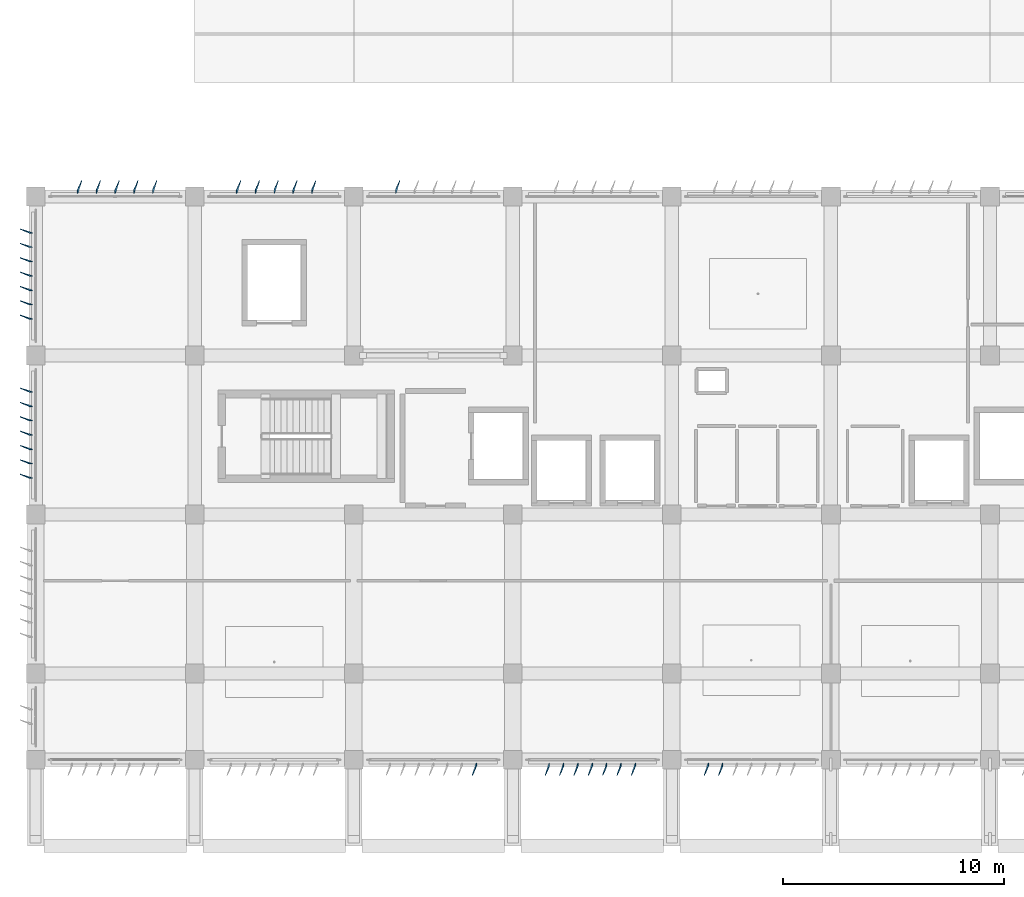
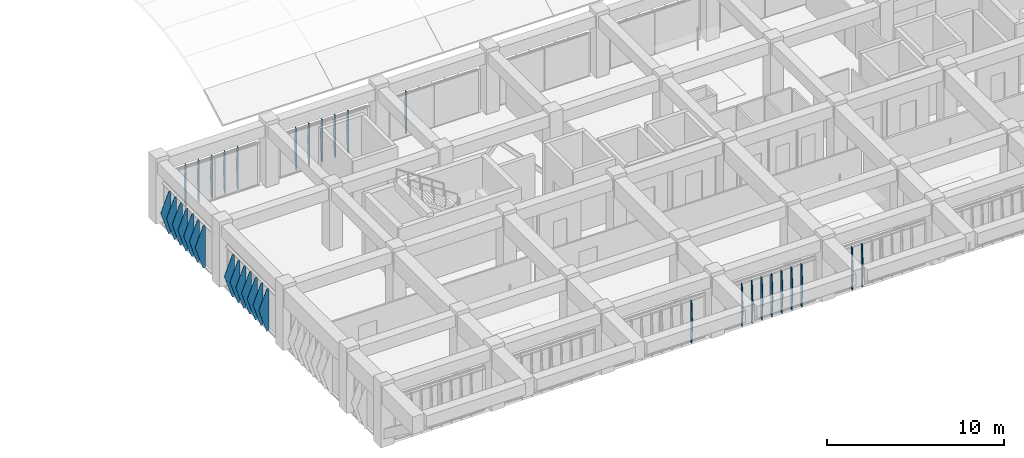
# One storey, part 50 of 56: 35 plates.
"""IFC4 building model written with IfcOpenShell, lengths in metres."""

from ifc_helpers import new_model, si_unit, direction, frame, origin, place, context, subcontext, project, spatial, polygons, material, layer, layer_set, type_object, element, save


model = new_model("IFC4")

# Units and contexts
model_context = context("Model", 3, precision=1e-05, world=origin(), true_north=direction((0.0, 1.0)))
body_context = subcontext(model_context, "Body", "Model", "MODEL_VIEW")
ifc_project = project(units=[si_unit("LENGTHUNIT", "METRE"), si_unit("AREAUNIT", "SQUARE_METRE"), si_unit("VOLUMEUNIT", "CUBIC_METRE"), si_unit("PLANEANGLEUNIT", "RADIAN"), si_unit("MASSUNIT", "GRAM", prefix="KILO")], contexts=[model_context])

# Site, building, storey
site_placement = place(None, origin())
site = spatial("IfcSite", under=ifc_project, at=site_placement, CompositionType="ELEMENT")
building_placement = place(site_placement, origin())
building = spatial("IfcBuilding", under=site, at=building_placement, Name="Kazehaya Institute of Natural Sciences", CompositionType="ELEMENT")
storey_placement = place(building_placement, frame((0.0, 0.0, 24.300048828125)))
storey = spatial("IfcBuildingStorey", under=building, at=storey_placement, Name="L05", CompositionType="ELEMENT", Elevation=24.300048828125)

# Plates
ifc_material = material(Name="Bronze-anodised aluminium alloy A6063S-T5", Category="aluminium")
ifc_layer_1 = layer(ifc_material, 0.02001953125, Name="Bronze-anodised aluminium alloy A6063S-T5", Category="aluminium")
ifc_layer_set_1 = layer_set([ifc_layer_1], Name="Bronze-anodised aluminium alloy A6063S-T5")
plate_type_1 = type_object("IfcPlateType", Name="FIN-DF-E1", PredefinedType="USERDEFINED", material=ifc_layer_set_1)
plate_1_placement = place(storey_placement, origin())
element("IfcPlate", 1, at=plate_1_placement, inside=storey, type_object=plate_type_1, Name="L05 folded diamond-pyramid shading fin FIN-L05-W-0358", ObjectType="SHADING_FIN", PredefinedType="USERDEFINED", context=body_context, shape_type="Tessellation", body=[
    polygons([(54.445068359375, 22.840087890625, 0.0400390625), (54.300048828125, 22.840087890625, 0.0400390625), (53.889892578125, 23.018798828125, 1.5), (54.300048828125, 22.840087890625, 2.9599609375), (54.445068359375, 22.840087890625, 2.9599609375), (54.445068359375, 22.860107421875, 0.0400390625), (54.300048828125, 22.860107421875, 0.0400390625), (53.889892578125, 23.038818359375, 1.5), (54.300048828125, 22.860107421875, 2.9599609375), (54.445068359375, 22.860107421875, 2.9599609375)], [[[1, 5, 4, 3, 2]], [[6, 7, 8, 9, 10]], [[1, 2, 7, 6]], [[2, 3, 8, 7]], [[3, 4, 9, 8]], [[4, 5, 10, 9]], [[5, 1, 6, 10]]], closed=True),
])
plate_2_placement = place(storey_placement, origin())
element("IfcPlate", 2, at=plate_2_placement, inside=storey, type_object=plate_type_1, Name="L05 folded diamond-pyramid shading fin FIN-L05-W-0359", ObjectType="SHADING_FIN", PredefinedType="USERDEFINED", context=body_context, shape_type="Tessellation", body=[
    polygons([(54.445068359375, 23.489990234375, 0.0400390625), (54.300048828125, 23.489990234375, 0.0400390625), (53.889892578125, 23.668701171875, 1.5), (54.300048828125, 23.489990234375, 2.9599609375), (54.445068359375, 23.489990234375, 2.9599609375), (54.445068359375, 23.510009765625, 0.0400390625), (54.300048828125, 23.510009765625, 0.0400390625), (53.889892578125, 23.688720703125, 1.5), (54.300048828125, 23.510009765625, 2.9599609375), (54.445068359375, 23.510009765625, 2.9599609375)], [[[1, 5, 4, 3, 2]], [[6, 7, 8, 9, 10]], [[1, 2, 7, 6]], [[2, 3, 8, 7]], [[3, 4, 9, 8]], [[4, 5, 10, 9]], [[5, 1, 6, 10]]], closed=True),
])
plate_3_placement = place(storey_placement, origin())
element("IfcPlate", 3, at=plate_3_placement, inside=storey, type_object=plate_type_1, Name="L05 folded diamond-pyramid shading fin FIN-L05-W-0360", ObjectType="SHADING_FIN", PredefinedType="USERDEFINED", context=body_context, shape_type="Tessellation", body=[
    polygons([(54.445068359375, 24.139892578125, 0.0400390625), (54.300048828125, 24.139892578125, 0.0400390625), (53.889892578125, 24.318603515625, 1.5), (54.300048828125, 24.139892578125, 2.9599609375), (54.445068359375, 24.139892578125, 2.9599609375), (54.445068359375, 24.159912109375, 0.0400390625), (54.300048828125, 24.159912109375, 0.0400390625), (53.889892578125, 24.338623046875, 1.5), (54.300048828125, 24.159912109375, 2.9599609375), (54.445068359375, 24.159912109375, 2.9599609375)], [[[1, 5, 4, 3, 2]], [[6, 7, 8, 9, 10]], [[1, 2, 7, 6]], [[2, 3, 8, 7]], [[3, 4, 9, 8]], [[4, 5, 10, 9]], [[5, 1, 6, 10]]], closed=True),
])
plate_4_placement = place(storey_placement, origin())
element("IfcPlate", 4, at=plate_4_placement, inside=storey, type_object=plate_type_1, Name="L05 folded diamond-pyramid shading fin FIN-L05-W-0361", ObjectType="SHADING_FIN", PredefinedType="USERDEFINED", context=body_context, shape_type="Tessellation", body=[
    polygons([(54.445068359375, 24.7900390625, 0.0400390625), (54.300048828125, 24.7900390625, 0.0400390625), (53.889892578125, 24.96875, 1.5), (54.300048828125, 24.7900390625, 2.9599609375), (54.445068359375, 24.7900390625, 2.9599609375), (54.445068359375, 24.81005859375, 0.0400390625), (54.300048828125, 24.81005859375, 0.0400390625), (53.889892578125, 24.98876953125, 1.5), (54.300048828125, 24.81005859375, 2.9599609375), (54.445068359375, 24.81005859375, 2.9599609375)], [[[1, 5, 4, 3, 2]], [[6, 7, 8, 9, 10]], [[1, 2, 7, 6]], [[2, 3, 8, 7]], [[3, 4, 9, 8]], [[4, 5, 10, 9]], [[5, 1, 6, 10]]], closed=True),
])
plate_5_placement = place(storey_placement, origin())
element("IfcPlate", 5, at=plate_5_placement, inside=storey, type_object=plate_type_1, Name="L05 folded diamond-pyramid shading fin FIN-L05-W-0362", ObjectType="SHADING_FIN", PredefinedType="USERDEFINED", context=body_context, shape_type="Tessellation", body=[
    polygons([(54.445068359375, 25.43994140625, 0.0400390625), (54.300048828125, 25.43994140625, 0.0400390625), (53.889892578125, 25.61865234375, 1.5), (54.300048828125, 25.43994140625, 2.9599609375), (54.445068359375, 25.43994140625, 2.9599609375), (54.445068359375, 25.4599609375, 0.0400390625), (54.300048828125, 25.4599609375, 0.0400390625), (53.889892578125, 25.638671875, 1.5), (54.300048828125, 25.4599609375, 2.9599609375), (54.445068359375, 25.4599609375, 2.9599609375)], [[[1, 5, 4, 3, 2]], [[6, 7, 8, 9, 10]], [[1, 2, 7, 6]], [[2, 3, 8, 7]], [[3, 4, 9, 8]], [[4, 5, 10, 9]], [[5, 1, 6, 10]]], closed=True),
])
plate_6_placement = place(storey_placement, origin())
element("IfcPlate", 6, at=plate_6_placement, inside=storey, type_object=plate_type_1, Name="L05 folded diamond-pyramid shading fin FIN-L05-W-0363", ObjectType="SHADING_FIN", PredefinedType="USERDEFINED", context=body_context, shape_type="Tessellation", body=[
    polygons([(54.445068359375, 26.090087890625, 0.0400390625), (54.300048828125, 26.090087890625, 0.0400390625), (53.889892578125, 26.268798828125, 1.5), (54.300048828125, 26.090087890625, 2.9599609375), (54.445068359375, 26.090087890625, 2.9599609375), (54.445068359375, 26.110107421875, 0.0400390625), (54.300048828125, 26.110107421875, 0.0400390625), (53.889892578125, 26.288818359375, 1.5), (54.300048828125, 26.110107421875, 2.9599609375), (54.445068359375, 26.110107421875, 2.9599609375)], [[[1, 5, 4, 3, 2]], [[6, 7, 8, 9, 10]], [[1, 2, 7, 6]], [[2, 3, 8, 7]], [[3, 4, 9, 8]], [[4, 5, 10, 9]], [[5, 1, 6, 10]]], closed=True),
])
plate_7_placement = place(storey_placement, origin())
element("IfcPlate", 7, at=plate_7_placement, inside=storey, type_object=plate_type_1, Name="L05 folded diamond-pyramid shading fin FIN-L05-W-0364", ObjectType="SHADING_FIN", PredefinedType="USERDEFINED", context=body_context, shape_type="Tessellation", body=[
    polygons([(54.445068359375, 26.739990234375, 0.0400390625), (54.300048828125, 26.739990234375, 0.0400390625), (53.889892578125, 26.918701171875, 1.5), (54.300048828125, 26.739990234375, 2.9599609375), (54.445068359375, 26.739990234375, 2.9599609375), (54.445068359375, 26.760009765625, 0.0400390625), (54.300048828125, 26.760009765625, 0.0400390625), (53.889892578125, 26.938720703125, 1.5), (54.300048828125, 26.760009765625, 2.9599609375), (54.445068359375, 26.760009765625, 2.9599609375)], [[[1, 5, 4, 3, 2]], [[6, 7, 8, 9, 10]], [[1, 2, 7, 6]], [[2, 3, 8, 7]], [[3, 4, 9, 8]], [[4, 5, 10, 9]], [[5, 1, 6, 10]]], closed=True),
])
plate_8_placement = place(storey_placement, origin())
element("IfcPlate", 8, at=plate_8_placement, inside=storey, type_object=plate_type_1, Name="L05 folded diamond-pyramid shading fin FIN-L05-W-0372", ObjectType="SHADING_FIN", PredefinedType="USERDEFINED", context=body_context, shape_type="Tessellation", body=[
    polygons([(54.445068359375, 30.0400390625, 0.0400390625), (54.300048828125, 30.0400390625, 0.0400390625), (53.889892578125, 30.21875, 1.5), (54.300048828125, 30.0400390625, 2.9599609375), (54.445068359375, 30.0400390625, 2.9599609375), (54.445068359375, 30.06005859375, 0.0400390625), (54.300048828125, 30.06005859375, 0.0400390625), (53.889892578125, 30.23876953125, 1.5), (54.300048828125, 30.06005859375, 2.9599609375), (54.445068359375, 30.06005859375, 2.9599609375)], [[[1, 5, 4, 3, 2]], [[6, 7, 8, 9, 10]], [[1, 2, 7, 6]], [[2, 3, 8, 7]], [[3, 4, 9, 8]], [[4, 5, 10, 9]], [[5, 1, 6, 10]]], closed=True),
])
plate_9_placement = place(storey_placement, origin())
element("IfcPlate", 9, at=plate_9_placement, inside=storey, type_object=plate_type_1, Name="L05 folded diamond-pyramid shading fin FIN-L05-W-0373", ObjectType="SHADING_FIN", PredefinedType="USERDEFINED", context=body_context, shape_type="Tessellation", body=[
    polygons([(54.445068359375, 30.68994140625, 0.0400390625), (54.300048828125, 30.68994140625, 0.0400390625), (53.889892578125, 30.86865234375, 1.5), (54.300048828125, 30.68994140625, 2.9599609375), (54.445068359375, 30.68994140625, 2.9599609375), (54.445068359375, 30.7099609375, 0.0400390625), (54.300048828125, 30.7099609375, 0.0400390625), (53.889892578125, 30.888671875, 1.5), (54.300048828125, 30.7099609375, 2.9599609375), (54.445068359375, 30.7099609375, 2.9599609375)], [[[1, 5, 4, 3, 2]], [[6, 7, 8, 9, 10]], [[1, 2, 7, 6]], [[2, 3, 8, 7]], [[3, 4, 9, 8]], [[4, 5, 10, 9]], [[5, 1, 6, 10]]], closed=True),
])
plate_10_placement = place(storey_placement, origin())
element("IfcPlate", 10, at=plate_10_placement, inside=storey, type_object=plate_type_1, Name="L05 folded diamond-pyramid shading fin FIN-L05-W-0374", ObjectType="SHADING_FIN", PredefinedType="USERDEFINED", context=body_context, shape_type="Tessellation", body=[
    polygons([(54.445068359375, 31.340087890625, 0.0400390625), (54.300048828125, 31.340087890625, 0.0400390625), (53.889892578125, 31.518798828125, 1.5), (54.300048828125, 31.340087890625, 2.9599609375), (54.445068359375, 31.340087890625, 2.9599609375), (54.445068359375, 31.360107421875, 0.0400390625), (54.300048828125, 31.360107421875, 0.0400390625), (53.889892578125, 31.538818359375, 1.5), (54.300048828125, 31.360107421875, 2.9599609375), (54.445068359375, 31.360107421875, 2.9599609375)], [[[1, 5, 4, 3, 2]], [[6, 7, 8, 9, 10]], [[1, 2, 7, 6]], [[2, 3, 8, 7]], [[3, 4, 9, 8]], [[4, 5, 10, 9]], [[5, 1, 6, 10]]], closed=True),
])
plate_11_placement = place(storey_placement, origin())
element("IfcPlate", 11, at=plate_11_placement, inside=storey, type_object=plate_type_1, Name="L05 folded diamond-pyramid shading fin FIN-L05-W-0375", ObjectType="SHADING_FIN", PredefinedType="USERDEFINED", context=body_context, shape_type="Tessellation", body=[
    polygons([(54.445068359375, 31.989990234375, 0.0400390625), (54.300048828125, 31.989990234375, 0.0400390625), (53.889892578125, 32.168701171875, 1.5), (54.300048828125, 31.989990234375, 2.9599609375), (54.445068359375, 31.989990234375, 2.9599609375), (54.445068359375, 32.010009765625, 0.0400390625), (54.300048828125, 32.010009765625, 0.0400390625), (53.889892578125, 32.188720703125, 1.5), (54.300048828125, 32.010009765625, 2.9599609375), (54.445068359375, 32.010009765625, 2.9599609375)], [[[1, 5, 4, 3, 2]], [[6, 7, 8, 9, 10]], [[1, 2, 7, 6]], [[2, 3, 8, 7]], [[3, 4, 9, 8]], [[4, 5, 10, 9]], [[5, 1, 6, 10]]], closed=True),
])
plate_12_placement = place(storey_placement, origin())
element("IfcPlate", 12, at=plate_12_placement, inside=storey, type_object=plate_type_1, Name="L05 folded diamond-pyramid shading fin FIN-L05-W-0376", ObjectType="SHADING_FIN", PredefinedType="USERDEFINED", context=body_context, shape_type="Tessellation", body=[
    polygons([(54.445068359375, 32.639892578125, 0.0400390625), (54.300048828125, 32.639892578125, 0.0400390625), (53.889892578125, 32.818603515625, 1.5), (54.300048828125, 32.639892578125, 2.9599609375), (54.445068359375, 32.639892578125, 2.9599609375), (54.445068359375, 32.659912109375, 0.0400390625), (54.300048828125, 32.659912109375, 0.0400390625), (53.889892578125, 32.838623046875, 1.5), (54.300048828125, 32.659912109375, 2.9599609375), (54.445068359375, 32.659912109375, 2.9599609375)], [[[1, 5, 4, 3, 2]], [[6, 7, 8, 9, 10]], [[1, 2, 7, 6]], [[2, 3, 8, 7]], [[3, 4, 9, 8]], [[4, 5, 10, 9]], [[5, 1, 6, 10]]], closed=True),
])
plate_13_placement = place(storey_placement, origin())
element("IfcPlate", 13, at=plate_13_placement, inside=storey, type_object=plate_type_1, Name="L05 folded diamond-pyramid shading fin FIN-L05-W-0377", ObjectType="SHADING_FIN", PredefinedType="USERDEFINED", context=body_context, shape_type="Tessellation", body=[
    polygons([(54.445068359375, 33.2900390625, 0.0400390625), (54.300048828125, 33.2900390625, 0.0400390625), (53.889892578125, 33.46875, 1.5), (54.300048828125, 33.2900390625, 2.9599609375), (54.445068359375, 33.2900390625, 2.9599609375), (54.445068359375, 33.31005859375, 0.0400390625), (54.300048828125, 33.31005859375, 0.0400390625), (53.889892578125, 33.48876953125, 1.5), (54.300048828125, 33.31005859375, 2.9599609375), (54.445068359375, 33.31005859375, 2.9599609375)], [[[1, 5, 4, 3, 2]], [[6, 7, 8, 9, 10]], [[1, 2, 7, 6]], [[2, 3, 8, 7]], [[3, 4, 9, 8]], [[4, 5, 10, 9]], [[5, 1, 6, 10]]], closed=True),
])
plate_14_placement = place(storey_placement, origin())
element("IfcPlate", 14, at=plate_14_placement, inside=storey, type_object=plate_type_1, Name="L05 folded diamond-pyramid shading fin FIN-L05-W-0378", ObjectType="SHADING_FIN", PredefinedType="USERDEFINED", context=body_context, shape_type="Tessellation", body=[
    polygons([(54.445068359375, 33.93994140625, 0.0400390625), (54.300048828125, 33.93994140625, 0.0400390625), (53.889892578125, 34.11865234375, 1.5), (54.300048828125, 33.93994140625, 2.9599609375), (54.445068359375, 33.93994140625, 2.9599609375), (54.445068359375, 33.9599609375, 0.0400390625), (54.300048828125, 33.9599609375, 0.0400390625), (53.889892578125, 34.138671875, 1.5), (54.300048828125, 33.9599609375, 2.9599609375), (54.445068359375, 33.9599609375, 2.9599609375)], [[[1, 5, 4, 3, 2]], [[6, 7, 8, 9, 10]], [[1, 2, 7, 6]], [[2, 3, 8, 7]], [[3, 4, 9, 8]], [[4, 5, 10, 9]], [[5, 1, 6, 10]]], closed=True),
])
ifc_layer_2 = layer(ifc_material, 0.02001953125, Name="Bronze-anodised aluminium alloy A6063S-T5", Category="aluminium")
ifc_layer_set_2 = layer_set([ifc_layer_2], Name="Bronze-anodised aluminium alloy A6063S-T5")
plate_type_2 = type_object("IfcPlateType", Name="FIN-DF-N1", PredefinedType="USERDEFINED", material=ifc_layer_set_2)
plate_15_placement = place(storey_placement, origin())
element("IfcPlate", 15, at=plate_15_placement, inside=storey, type_object=plate_type_2, Name="L05 folded diamond-pyramid shading fin FIN-L05-N-0295", ObjectType="SHADING_FIN", PredefinedType="USERDEFINED", context=body_context, shape_type="Tessellation", body=[
    polygons([(56.489990234375, 35.7548828125, 0.0400390625), (56.489990234375, 35.89990234375, 0.0400390625), (56.668701171875, 36.31005859375, 1.5), (56.489990234375, 35.89990234375, 2.9599609375), (56.489990234375, 35.7548828125, 2.9599609375), (56.510009765625, 35.7548828125, 0.0400390625), (56.510009765625, 35.89990234375, 0.0400390625), (56.688720703125, 36.31005859375, 1.5), (56.510009765625, 35.89990234375, 2.9599609375), (56.510009765625, 35.7548828125, 2.9599609375)], [[[1, 5, 4, 3, 2]], [[6, 7, 8, 9, 10]], [[1, 2, 7, 6]], [[2, 3, 8, 7]], [[3, 4, 9, 8]], [[4, 5, 10, 9]], [[5, 1, 6, 10]]], closed=True),
])
plate_16_placement = place(storey_placement, origin())
element("IfcPlate", 16, at=plate_16_placement, inside=storey, type_object=plate_type_2, Name="L05 folded diamond-pyramid shading fin FIN-L05-N-0296", ObjectType="SHADING_FIN", PredefinedType="USERDEFINED", context=body_context, shape_type="Tessellation", body=[
    polygons([(57.340087890625, 35.7548828125, 0.0400390625), (57.340087890625, 35.89990234375, 0.0400390625), (57.518798828125, 36.31005859375, 1.5), (57.340087890625, 35.89990234375, 2.9599609375), (57.340087890625, 35.7548828125, 2.9599609375), (57.360107421875, 35.7548828125, 0.0400390625), (57.360107421875, 35.89990234375, 0.0400390625), (57.538818359375, 36.31005859375, 1.5), (57.360107421875, 35.89990234375, 2.9599609375), (57.360107421875, 35.7548828125, 2.9599609375)], [[[1, 5, 4, 3, 2]], [[6, 7, 8, 9, 10]], [[1, 2, 7, 6]], [[2, 3, 8, 7]], [[3, 4, 9, 8]], [[4, 5, 10, 9]], [[5, 1, 6, 10]]], closed=True),
])
plate_17_placement = place(storey_placement, origin())
element("IfcPlate", 17, at=plate_17_placement, inside=storey, type_object=plate_type_2, Name="L05 folded diamond-pyramid shading fin FIN-L05-N-0297", ObjectType="SHADING_FIN", PredefinedType="USERDEFINED", context=body_context, shape_type="Tessellation", body=[
    polygons([(58.18994140625, 35.7548828125, 0.0400390625), (58.18994140625, 35.89990234375, 0.0400390625), (58.36865234375, 36.31005859375, 1.5), (58.18994140625, 35.89990234375, 2.9599609375), (58.18994140625, 35.7548828125, 2.9599609375), (58.2099609375, 35.7548828125, 0.0400390625), (58.2099609375, 35.89990234375, 0.0400390625), (58.388671875, 36.31005859375, 1.5), (58.2099609375, 35.89990234375, 2.9599609375), (58.2099609375, 35.7548828125, 2.9599609375)], [[[1, 5, 4, 3, 2]], [[6, 7, 8, 9, 10]], [[1, 2, 7, 6]], [[2, 3, 8, 7]], [[3, 4, 9, 8]], [[4, 5, 10, 9]], [[5, 1, 6, 10]]], closed=True),
])
plate_18_placement = place(storey_placement, origin())
element("IfcPlate", 18, at=plate_18_placement, inside=storey, type_object=plate_type_2, Name="L05 folded diamond-pyramid shading fin FIN-L05-N-0298", ObjectType="SHADING_FIN", PredefinedType="USERDEFINED", context=body_context, shape_type="Tessellation", body=[
    polygons([(59.0400390625, 35.7548828125, 0.0400390625), (59.0400390625, 35.89990234375, 0.0400390625), (59.21875, 36.31005859375, 1.5), (59.0400390625, 35.89990234375, 2.9599609375), (59.0400390625, 35.7548828125, 2.9599609375), (59.06005859375, 35.7548828125, 0.0400390625), (59.06005859375, 35.89990234375, 0.0400390625), (59.23876953125, 36.31005859375, 1.5), (59.06005859375, 35.89990234375, 2.9599609375), (59.06005859375, 35.7548828125, 2.9599609375)], [[[1, 5, 4, 3, 2]], [[6, 7, 8, 9, 10]], [[1, 2, 7, 6]], [[2, 3, 8, 7]], [[3, 4, 9, 8]], [[4, 5, 10, 9]], [[5, 1, 6, 10]]], closed=True),
])
plate_19_placement = place(storey_placement, origin())
element("IfcPlate", 19, at=plate_19_placement, inside=storey, type_object=plate_type_2, Name="L05 folded diamond-pyramid shading fin FIN-L05-N-0299", ObjectType="SHADING_FIN", PredefinedType="USERDEFINED", context=body_context, shape_type="Tessellation", body=[
    polygons([(59.889892578125, 35.7548828125, 0.0400390625), (59.889892578125, 35.89990234375, 0.0400390625), (60.068603515625, 36.31005859375, 1.5), (59.889892578125, 35.89990234375, 2.9599609375), (59.889892578125, 35.7548828125, 2.9599609375), (59.909912109375, 35.7548828125, 0.0400390625), (59.909912109375, 35.89990234375, 0.0400390625), (60.088623046875, 36.31005859375, 1.5), (59.909912109375, 35.89990234375, 2.9599609375), (59.909912109375, 35.7548828125, 2.9599609375)], [[[1, 5, 4, 3, 2]], [[6, 7, 8, 9, 10]], [[1, 2, 7, 6]], [[2, 3, 8, 7]], [[3, 4, 9, 8]], [[4, 5, 10, 9]], [[5, 1, 6, 10]]], closed=True),
])
plate_20_placement = place(storey_placement, origin())
element("IfcPlate", 20, at=plate_20_placement, inside=storey, type_object=plate_type_2, Name="L05 folded diamond-pyramid shading fin FIN-L05-N-0300", ObjectType="SHADING_FIN", PredefinedType="USERDEFINED", context=body_context, shape_type="Tessellation", body=[
    polygons([(63.68994140625, 35.7548828125, 0.0400390625), (63.68994140625, 35.89990234375, 0.0400390625), (63.86865234375, 36.31005859375, 1.5), (63.68994140625, 35.89990234375, 2.9599609375), (63.68994140625, 35.7548828125, 2.9599609375), (63.7099609375, 35.7548828125, 0.0400390625), (63.7099609375, 35.89990234375, 0.0400390625), (63.888671875, 36.31005859375, 1.5), (63.7099609375, 35.89990234375, 2.9599609375), (63.7099609375, 35.7548828125, 2.9599609375)], [[[1, 5, 4, 3, 2]], [[6, 7, 8, 9, 10]], [[1, 2, 7, 6]], [[2, 3, 8, 7]], [[3, 4, 9, 8]], [[4, 5, 10, 9]], [[5, 1, 6, 10]]], closed=True),
])
plate_21_placement = place(storey_placement, origin())
element("IfcPlate", 21, at=plate_21_placement, inside=storey, type_object=plate_type_2, Name="L05 folded diamond-pyramid shading fin FIN-L05-N-0301", ObjectType="SHADING_FIN", PredefinedType="USERDEFINED", context=body_context, shape_type="Tessellation", body=[
    polygons([(64.5400390625, 35.7548828125, 0.0400390625), (64.5400390625, 35.89990234375, 0.0400390625), (64.71875, 36.31005859375, 1.5), (64.5400390625, 35.89990234375, 2.9599609375), (64.5400390625, 35.7548828125, 2.9599609375), (64.56005859375, 35.7548828125, 0.0400390625), (64.56005859375, 35.89990234375, 0.0400390625), (64.73876953125, 36.31005859375, 1.5), (64.56005859375, 35.89990234375, 2.9599609375), (64.56005859375, 35.7548828125, 2.9599609375)], [[[1, 5, 4, 3, 2]], [[6, 7, 8, 9, 10]], [[1, 2, 7, 6]], [[2, 3, 8, 7]], [[3, 4, 9, 8]], [[4, 5, 10, 9]], [[5, 1, 6, 10]]], closed=True),
])
plate_22_placement = place(storey_placement, origin())
element("IfcPlate", 22, at=plate_22_placement, inside=storey, type_object=plate_type_2, Name="L05 folded diamond-pyramid shading fin FIN-L05-N-0302", ObjectType="SHADING_FIN", PredefinedType="USERDEFINED", context=body_context, shape_type="Tessellation", body=[
    polygons([(65.389892578125, 35.7548828125, 0.0400390625), (65.389892578125, 35.89990234375, 0.0400390625), (65.568603515625, 36.31005859375, 1.5), (65.389892578125, 35.89990234375, 2.9599609375), (65.389892578125, 35.7548828125, 2.9599609375), (65.409912109375, 35.7548828125, 0.0400390625), (65.409912109375, 35.89990234375, 0.0400390625), (65.588623046875, 36.31005859375, 1.5), (65.409912109375, 35.89990234375, 2.9599609375), (65.409912109375, 35.7548828125, 2.9599609375)], [[[1, 5, 4, 3, 2]], [[6, 7, 8, 9, 10]], [[1, 2, 7, 6]], [[2, 3, 8, 7]], [[3, 4, 9, 8]], [[4, 5, 10, 9]], [[5, 1, 6, 10]]], closed=True),
])
plate_23_placement = place(storey_placement, origin())
element("IfcPlate", 23, at=plate_23_placement, inside=storey, type_object=plate_type_2, Name="L05 folded diamond-pyramid shading fin FIN-L05-N-0303", ObjectType="SHADING_FIN", PredefinedType="USERDEFINED", context=body_context, shape_type="Tessellation", body=[
    polygons([(66.239990234375, 35.7548828125, 0.0400390625), (66.239990234375, 35.89990234375, 0.0400390625), (66.418701171875, 36.31005859375, 1.5), (66.239990234375, 35.89990234375, 2.9599609375), (66.239990234375, 35.7548828125, 2.9599609375), (66.260009765625, 35.7548828125, 0.0400390625), (66.260009765625, 35.89990234375, 0.0400390625), (66.438720703125, 36.31005859375, 1.5), (66.260009765625, 35.89990234375, 2.9599609375), (66.260009765625, 35.7548828125, 2.9599609375)], [[[1, 5, 4, 3, 2]], [[6, 7, 8, 9, 10]], [[1, 2, 7, 6]], [[2, 3, 8, 7]], [[3, 4, 9, 8]], [[4, 5, 10, 9]], [[5, 1, 6, 10]]], closed=True),
])
plate_24_placement = place(storey_placement, origin())
element("IfcPlate", 24, at=plate_24_placement, inside=storey, type_object=plate_type_2, Name="L05 folded diamond-pyramid shading fin FIN-L05-N-0304", ObjectType="SHADING_FIN", PredefinedType="USERDEFINED", context=body_context, shape_type="Tessellation", body=[
    polygons([(67.090087890625, 35.7548828125, 0.0400390625), (67.090087890625, 35.89990234375, 0.0400390625), (67.268798828125, 36.31005859375, 1.5), (67.090087890625, 35.89990234375, 2.9599609375), (67.090087890625, 35.7548828125, 2.9599609375), (67.110107421875, 35.7548828125, 0.0400390625), (67.110107421875, 35.89990234375, 0.0400390625), (67.288818359375, 36.31005859375, 1.5), (67.110107421875, 35.89990234375, 2.9599609375), (67.110107421875, 35.7548828125, 2.9599609375)], [[[1, 5, 4, 3, 2]], [[6, 7, 8, 9, 10]], [[1, 2, 7, 6]], [[2, 3, 8, 7]], [[3, 4, 9, 8]], [[4, 5, 10, 9]], [[5, 1, 6, 10]]], closed=True),
])
plate_25_placement = place(storey_placement, origin())
element("IfcPlate", 25, at=plate_25_placement, inside=storey, type_object=plate_type_2, Name="L05 folded diamond-pyramid shading fin FIN-L05-N-0305", ObjectType="SHADING_FIN", PredefinedType="USERDEFINED", context=body_context, shape_type="Tessellation", body=[
    polygons([(70.889892578125, 35.7548828125, 0.0400390625), (70.889892578125, 35.89990234375, 0.0400390625), (71.068603515625, 36.31005859375, 1.5), (70.889892578125, 35.89990234375, 2.9599609375), (70.889892578125, 35.7548828125, 2.9599609375), (70.909912109375, 35.7548828125, 0.0400390625), (70.909912109375, 35.89990234375, 0.0400390625), (71.088623046875, 36.31005859375, 1.5), (70.909912109375, 35.89990234375, 2.9599609375), (70.909912109375, 35.7548828125, 2.9599609375)], [[[1, 5, 4, 3, 2]], [[6, 7, 8, 9, 10]], [[1, 2, 7, 6]], [[2, 3, 8, 7]], [[3, 4, 9, 8]], [[4, 5, 10, 9]], [[5, 1, 6, 10]]], closed=True),
])
ifc_layer_3 = layer(ifc_material, 0.02001953125, Name="Bronze-anodised aluminium alloy A6063S-T5", Category="aluminium")
ifc_layer_set_3 = layer_set([ifc_layer_3], Name="Bronze-anodised aluminium alloy A6063S-T5")
plate_type_3 = type_object("IfcPlateType", Name="FIN-DF-S1", PredefinedType="USERDEFINED", material=ifc_layer_set_3)
plate_26_placement = place(storey_placement, origin())
element("IfcPlate", 26, at=plate_26_placement, inside=storey, type_object=plate_type_3, Name="L05 folded diamond-pyramid shading fin FIN-L05-S-0265", ObjectType="SHADING_FIN", PredefinedType="USERDEFINED", context=body_context, shape_type="Tessellation", body=[
    polygons([(85.7099609375, 9.945068359375, 0.0400390625), (85.7099609375, 9.800048828125, 0.0400390625), (85.53125, 9.389892578125, 1.5), (85.7099609375, 9.800048828125, 2.9599609375), (85.7099609375, 9.945068359375, 2.9599609375), (85.68994140625, 9.945068359375, 0.0400390625), (85.68994140625, 9.800048828125, 0.0400390625), (85.51123046875, 9.389892578125, 1.5), (85.68994140625, 9.800048828125, 2.9599609375), (85.68994140625, 9.945068359375, 2.9599609375)], [[[1, 5, 4, 3, 2]], [[6, 7, 8, 9, 10]], [[1, 2, 7, 6]], [[2, 3, 8, 7]], [[3, 4, 9, 8]], [[4, 5, 10, 9]], [[5, 1, 6, 10]]], closed=True),
])
plate_27_placement = place(storey_placement, origin())
element("IfcPlate", 27, at=plate_27_placement, inside=storey, type_object=plate_type_3, Name="L05 folded diamond-pyramid shading fin FIN-L05-S-0266", ObjectType="SHADING_FIN", PredefinedType="USERDEFINED", context=body_context, shape_type="Tessellation", body=[
    polygons([(85.06005859375, 9.945068359375, 0.0400390625), (85.06005859375, 9.800048828125, 0.0400390625), (84.88134765625, 9.389892578125, 1.5), (85.06005859375, 9.800048828125, 2.9599609375), (85.06005859375, 9.945068359375, 2.9599609375), (85.0400390625, 9.945068359375, 0.0400390625), (85.0400390625, 9.800048828125, 0.0400390625), (84.861328125, 9.389892578125, 1.5), (85.0400390625, 9.800048828125, 2.9599609375), (85.0400390625, 9.945068359375, 2.9599609375)], [[[1, 5, 4, 3, 2]], [[6, 7, 8, 9, 10]], [[1, 2, 7, 6]], [[2, 3, 8, 7]], [[3, 4, 9, 8]], [[4, 5, 10, 9]], [[5, 1, 6, 10]]], closed=True),
])
plate_28_placement = place(storey_placement, origin())
element("IfcPlate", 28, at=plate_28_placement, inside=storey, type_object=plate_type_3, Name="L05 folded diamond-pyramid shading fin FIN-L05-S-0267", ObjectType="SHADING_FIN", PredefinedType="USERDEFINED", context=body_context, shape_type="Tessellation", body=[
    polygons([(81.760009765625, 9.945068359375, 0.0400390625), (81.760009765625, 9.800048828125, 0.0400390625), (81.581298828125, 9.389892578125, 1.5), (81.760009765625, 9.800048828125, 2.9599609375), (81.760009765625, 9.945068359375, 2.9599609375), (81.739990234375, 9.945068359375, 0.0400390625), (81.739990234375, 9.800048828125, 0.0400390625), (81.561279296875, 9.389892578125, 1.5), (81.739990234375, 9.800048828125, 2.9599609375), (81.739990234375, 9.945068359375, 2.9599609375)], [[[1, 5, 4, 3, 2]], [[6, 7, 8, 9, 10]], [[1, 2, 7, 6]], [[2, 3, 8, 7]], [[3, 4, 9, 8]], [[4, 5, 10, 9]], [[5, 1, 6, 10]]], closed=True),
])
plate_29_placement = place(storey_placement, origin())
element("IfcPlate", 29, at=plate_29_placement, inside=storey, type_object=plate_type_3, Name="L05 folded diamond-pyramid shading fin FIN-L05-S-0268", ObjectType="SHADING_FIN", PredefinedType="USERDEFINED", context=body_context, shape_type="Tessellation", body=[
    polygons([(81.110107421875, 9.945068359375, 0.0400390625), (81.110107421875, 9.800048828125, 0.0400390625), (80.931396484375, 9.389892578125, 1.5), (81.110107421875, 9.800048828125, 2.9599609375), (81.110107421875, 9.945068359375, 2.9599609375), (81.090087890625, 9.945068359375, 0.0400390625), (81.090087890625, 9.800048828125, 0.0400390625), (80.911376953125, 9.389892578125, 1.5), (81.090087890625, 9.800048828125, 2.9599609375), (81.090087890625, 9.945068359375, 2.9599609375)], [[[1, 5, 4, 3, 2]], [[6, 7, 8, 9, 10]], [[1, 2, 7, 6]], [[2, 3, 8, 7]], [[3, 4, 9, 8]], [[4, 5, 10, 9]], [[5, 1, 6, 10]]], closed=True),
])
plate_30_placement = place(storey_placement, origin())
element("IfcPlate", 30, at=plate_30_placement, inside=storey, type_object=plate_type_3, Name="L05 folded diamond-pyramid shading fin FIN-L05-S-0269", ObjectType="SHADING_FIN", PredefinedType="USERDEFINED", context=body_context, shape_type="Tessellation", body=[
    polygons([(80.4599609375, 9.945068359375, 0.0400390625), (80.4599609375, 9.800048828125, 0.0400390625), (80.28125, 9.389892578125, 1.5), (80.4599609375, 9.800048828125, 2.9599609375), (80.4599609375, 9.945068359375, 2.9599609375), (80.43994140625, 9.945068359375, 0.0400390625), (80.43994140625, 9.800048828125, 0.0400390625), (80.26123046875, 9.389892578125, 1.5), (80.43994140625, 9.800048828125, 2.9599609375), (80.43994140625, 9.945068359375, 2.9599609375)], [[[1, 5, 4, 3, 2]], [[6, 7, 8, 9, 10]], [[1, 2, 7, 6]], [[2, 3, 8, 7]], [[3, 4, 9, 8]], [[4, 5, 10, 9]], [[5, 1, 6, 10]]], closed=True),
])
plate_31_placement = place(storey_placement, origin())
element("IfcPlate", 31, at=plate_31_placement, inside=storey, type_object=plate_type_3, Name="L05 folded diamond-pyramid shading fin FIN-L05-S-0270", ObjectType="SHADING_FIN", PredefinedType="USERDEFINED", context=body_context, shape_type="Tessellation", body=[
    polygons([(79.81005859375, 9.945068359375, 0.0400390625), (79.81005859375, 9.800048828125, 0.0400390625), (79.63134765625, 9.389892578125, 1.5), (79.81005859375, 9.800048828125, 2.9599609375), (79.81005859375, 9.945068359375, 2.9599609375), (79.7900390625, 9.945068359375, 0.0400390625), (79.7900390625, 9.800048828125, 0.0400390625), (79.611328125, 9.389892578125, 1.5), (79.7900390625, 9.800048828125, 2.9599609375), (79.7900390625, 9.945068359375, 2.9599609375)], [[[1, 5, 4, 3, 2]], [[6, 7, 8, 9, 10]], [[1, 2, 7, 6]], [[2, 3, 8, 7]], [[3, 4, 9, 8]], [[4, 5, 10, 9]], [[5, 1, 6, 10]]], closed=True),
])
plate_32_placement = place(storey_placement, origin())
element("IfcPlate", 32, at=plate_32_placement, inside=storey, type_object=plate_type_3, Name="L05 folded diamond-pyramid shading fin FIN-L05-S-0271", ObjectType="SHADING_FIN", PredefinedType="USERDEFINED", context=body_context, shape_type="Tessellation", body=[
    polygons([(79.159912109375, 9.945068359375, 0.0400390625), (79.159912109375, 9.800048828125, 0.0400390625), (78.981201171875, 9.389892578125, 1.5), (79.159912109375, 9.800048828125, 2.9599609375), (79.159912109375, 9.945068359375, 2.9599609375), (79.139892578125, 9.945068359375, 0.0400390625), (79.139892578125, 9.800048828125, 0.0400390625), (78.961181640625, 9.389892578125, 1.5), (79.139892578125, 9.800048828125, 2.9599609375), (79.139892578125, 9.945068359375, 2.9599609375)], [[[1, 5, 4, 3, 2]], [[6, 7, 8, 9, 10]], [[1, 2, 7, 6]], [[2, 3, 8, 7]], [[3, 4, 9, 8]], [[4, 5, 10, 9]], [[5, 1, 6, 10]]], closed=True),
])
plate_33_placement = place(storey_placement, origin())
element("IfcPlate", 33, at=plate_33_placement, inside=storey, type_object=plate_type_3, Name="L05 folded diamond-pyramid shading fin FIN-L05-S-0272", ObjectType="SHADING_FIN", PredefinedType="USERDEFINED", context=body_context, shape_type="Tessellation", body=[
    polygons([(78.510009765625, 9.945068359375, 0.0400390625), (78.510009765625, 9.800048828125, 0.0400390625), (78.331298828125, 9.389892578125, 1.5), (78.510009765625, 9.800048828125, 2.9599609375), (78.510009765625, 9.945068359375, 2.9599609375), (78.489990234375, 9.945068359375, 0.0400390625), (78.489990234375, 9.800048828125, 0.0400390625), (78.311279296875, 9.389892578125, 1.5), (78.489990234375, 9.800048828125, 2.9599609375), (78.489990234375, 9.945068359375, 2.9599609375)], [[[1, 5, 4, 3, 2]], [[6, 7, 8, 9, 10]], [[1, 2, 7, 6]], [[2, 3, 8, 7]], [[3, 4, 9, 8]], [[4, 5, 10, 9]], [[5, 1, 6, 10]]], closed=True),
])
plate_34_placement = place(storey_placement, origin())
element("IfcPlate", 34, at=plate_34_placement, inside=storey, type_object=plate_type_3, Name="L05 folded diamond-pyramid shading fin FIN-L05-S-0273", ObjectType="SHADING_FIN", PredefinedType="USERDEFINED", context=body_context, shape_type="Tessellation", body=[
    polygons([(77.860107421875, 9.945068359375, 0.0400390625), (77.860107421875, 9.800048828125, 0.0400390625), (77.681396484375, 9.389892578125, 1.5), (77.860107421875, 9.800048828125, 2.9599609375), (77.860107421875, 9.945068359375, 2.9599609375), (77.840087890625, 9.945068359375, 0.0400390625), (77.840087890625, 9.800048828125, 0.0400390625), (77.661376953125, 9.389892578125, 1.5), (77.840087890625, 9.800048828125, 2.9599609375), (77.840087890625, 9.945068359375, 2.9599609375)], [[[1, 5, 4, 3, 2]], [[6, 7, 8, 9, 10]], [[1, 2, 7, 6]], [[2, 3, 8, 7]], [[3, 4, 9, 8]], [[4, 5, 10, 9]], [[5, 1, 6, 10]]], closed=True),
])
plate_35_placement = place(storey_placement, origin())
element("IfcPlate", 35, at=plate_35_placement, inside=storey, type_object=plate_type_3, Name="L05 folded diamond-pyramid shading fin FIN-L05-S-0274", ObjectType="SHADING_FIN", PredefinedType="USERDEFINED", context=body_context, shape_type="Tessellation", body=[
    polygons([(74.56005859375, 9.945068359375, 0.0400390625), (74.56005859375, 9.800048828125, 0.0400390625), (74.38134765625, 9.389892578125, 1.5), (74.56005859375, 9.800048828125, 2.9599609375), (74.56005859375, 9.945068359375, 2.9599609375), (74.5400390625, 9.945068359375, 0.0400390625), (74.5400390625, 9.800048828125, 0.0400390625), (74.361328125, 9.389892578125, 1.5), (74.5400390625, 9.800048828125, 2.9599609375), (74.5400390625, 9.945068359375, 2.9599609375)], [[[1, 5, 4, 3, 2]], [[6, 7, 8, 9, 10]], [[1, 2, 7, 6]], [[2, 3, 8, 7]], [[3, 4, 9, 8]], [[4, 5, 10, 9]], [[5, 1, 6, 10]]], closed=True),
])

save(model, "model.ifc")
